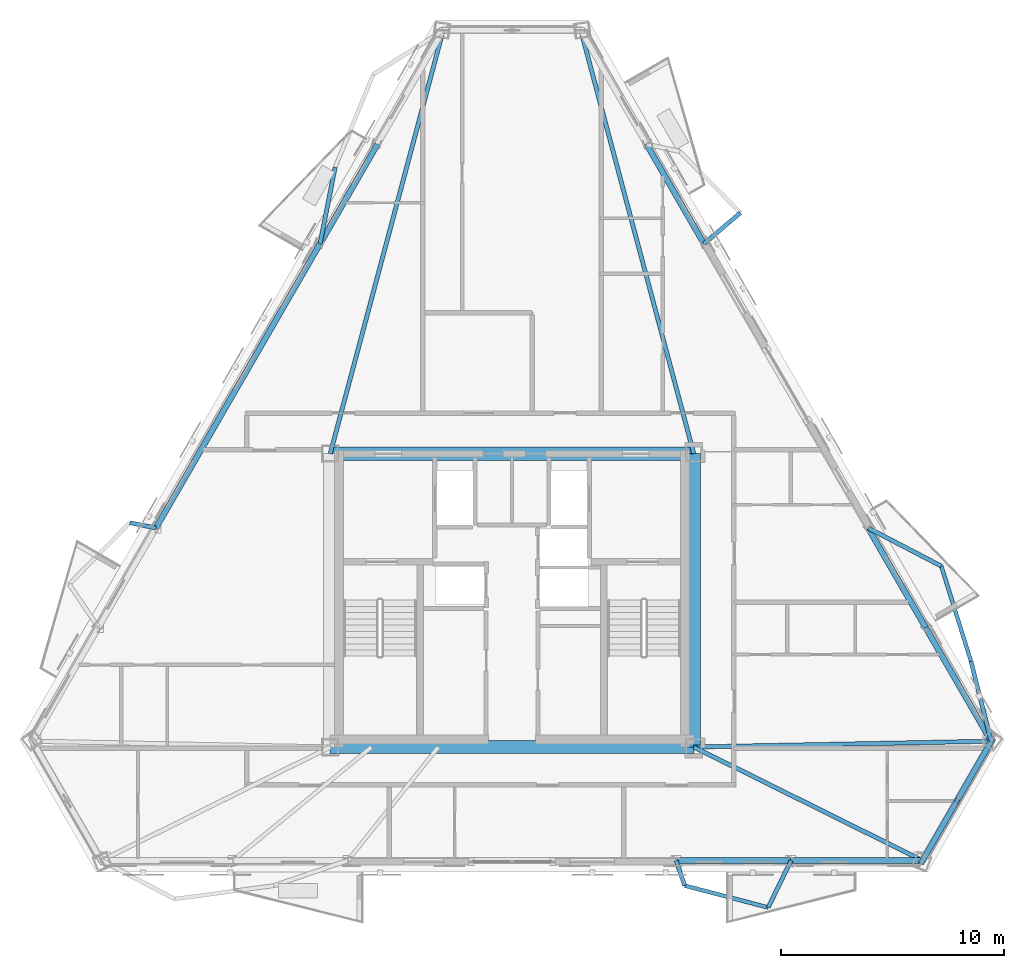
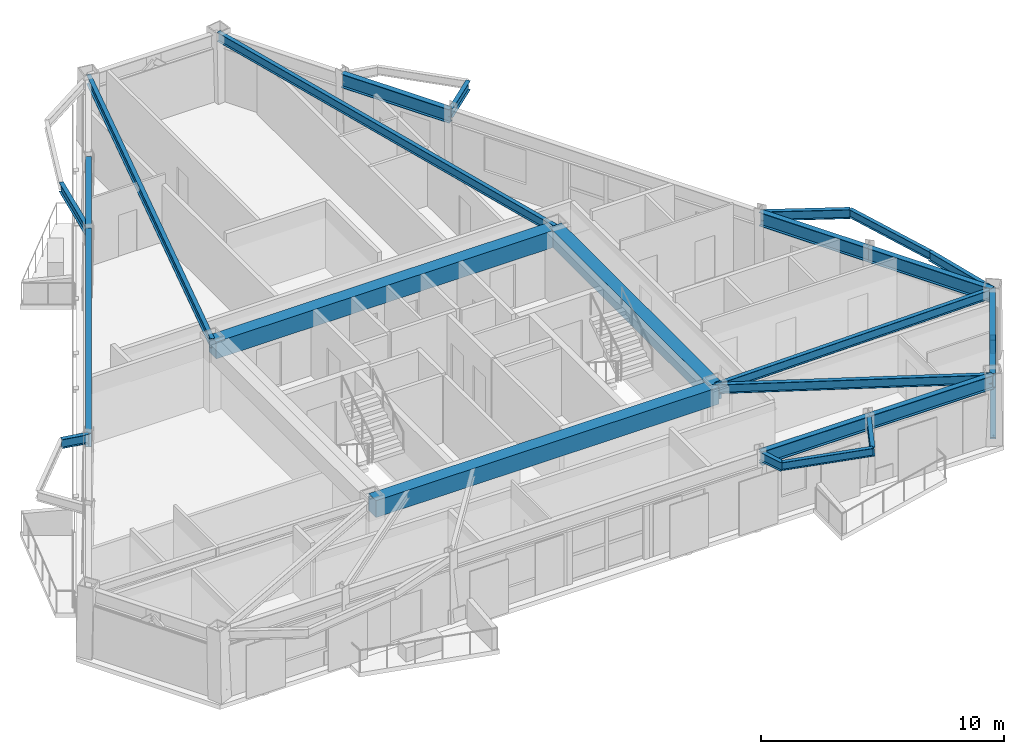
# One storey, part 3 of 12: 24 beams, 2 members.
"""IFC4 building model written with IfcOpenShell, lengths in metres."""

from ifc_helpers import new_model, si_unit, direction, frame, origin, origin_2d, place, context, subcontext, project, spatial, rectangle, hollow_rectangle, i_section, extrude, material, material_profile, profile_set, type_object, element, save


model = new_model("IFC4")

# Units and contexts
model_context = context("Model", 3, precision=1e-05, world=origin(), true_north=direction((0.0, 1.0)))
body_context = subcontext(model_context, "Body", "Model", "MODEL_VIEW")
ifc_project = project(units=[si_unit("LENGTHUNIT", "METRE"), si_unit("AREAUNIT", "SQUARE_METRE"), si_unit("VOLUMEUNIT", "CUBIC_METRE"), si_unit("PLANEANGLEUNIT", "RADIAN"), si_unit("MASSUNIT", "GRAM", prefix="KILO")], contexts=[model_context])

# Site, building, storey
site_placement = place(None, origin())
site = spatial("IfcSite", under=ifc_project, at=site_placement, CompositionType="ELEMENT")
building_placement = place(site_placement, origin())
building = spatial("IfcBuilding", under=site, at=building_placement, Name="Oramaril Tower", CompositionType="ELEMENT")
storey_placement = place(building_placement, frame((0.0, 0.0, 227.10009765625)))
storey = spatial("IfcBuildingStorey", under=building, at=storey_placement, Name="L60", CompositionType="ELEMENT", Elevation=227.10009765625)

# Beams
ifc_material_1 = material(Name="Steel ASTM A572 Gr 50", Category="steel")
ifc_material_profile_1 = material_profile(ifc_material_1, i_section(OverallWidth=0.19091796875, OverallDepth=0.45703125, WebThickness=0.009033203125, FlangeThickness=0.014404296875, at=origin_2d()), Name="W18X50")
ifc_profile_set_1 = profile_set([ifc_material_profile_1], Name="Steel ASTM A572 Gr 50")
beam_type_1 = type_object("IfcBeamType", Name="BT-BB1", PredefinedType="BEAM", material=ifc_profile_set_1)
beam_1_placement = place(storey_placement, frame((45.64990234375, 11.0, 3.1513671875), z_axis=(0.895750605416, -0.444556917499, 0.0), x_axis=(0.444556917499, 0.895750605416, 0.0)))
element("IfcBeam", 1, at=beam_1_placement, inside=storey, type_object=beam_type_1, Name="L60 Radial Primary Beam RB-03", PredefinedType="BEAM", context=body_context, shape_type="SweptSolid", body=[
    extrude(i_section(OverallWidth=0.19091796875, OverallDepth=0.45703125, WebThickness=0.009033203125, FlangeThickness=0.014404296875, at=origin_2d()), origin(), (0.0, 0.0, 1.0), 11.4404296875),
])
beam_2_placement = place(storey_placement, frame((45.64990234375, 11.0, 3.1513671875), z_axis=(0.999809583459, 0.019514016075, 0.0), x_axis=(-0.019514016075, 0.999809583459, 0.0)))
element("IfcBeam", 2, at=beam_2_placement, inside=storey, type_object=beam_type_1, Name="L60 Radial Primary Beam RB-04", PredefinedType="BEAM", context=body_context, shape_type="SweptSolid", body=[
    extrude(i_section(OverallWidth=0.19091796875, OverallDepth=0.45703125, WebThickness=0.009033203125, FlangeThickness=0.014404296875, at=origin_2d()), origin(), (0.0, 0.0, 1.0), 13.336669921875),
])
for number, where, z_axis, x_axis, name in (
    (3, (45.64990234375, 24.14990234375, 3.1513671875), (-0.257817389064, 0.966193662728, 0.0), (-0.966193662728, -0.257817389064, 0.0), "L60 Radial Primary Beam RB-05"),
    (4, (29.35009765625, 24.14990234375, 3.1513671875), (0.257817389064, 0.966193662728, 0.0), (-0.966193662728, 0.257817389064, 0.0), "L60 Radial Primary Beam RB-06"),
):
    element("IfcBeam", number, at=place(storey_placement, frame(where, z_axis=z_axis, x_axis=x_axis)), inside=storey, type_object=beam_type_1, Name=name, PredefinedType="BEAM", context=body_context, shape_type="SweptSolid", body=[
        extrude(i_section(OverallWidth=0.19091796875, OverallDepth=0.45703125, WebThickness=0.009033203125, FlangeThickness=0.014404296875, at=origin_2d()), origin(), (0.0, 0.0, 1.0), 19.639892578125),
    ])
beam_3_placement = place(storey_placement, frame((44.85888671875, 5.9140625, 3.1513671875), z_axis=(0.321020582855, -0.947072217618, 0.0), x_axis=(0.947072217618, 0.321020582855, 0.0)))
element("IfcBeam", 5, at=beam_3_placement, inside=storey, type_object=beam_type_1, Name="L60 Balcony Column-Framed Cantilever 02.1", PredefinedType="BEAM", context=body_context, shape_type="SweptSolid", body=[
    extrude(i_section(OverallWidth=0.19091796875, OverallDepth=0.45703125, WebThickness=0.009033203125, FlangeThickness=0.014404296875, at=origin_2d()), origin(), (0.0, 0.0, 1.0), 1.19091796875),
])
beam_4_placement = place(storey_placement, frame((50.010498046875, 5.9140625, 3.1513671875), z_axis=(-0.437438404124, -0.899248376478, 0.0), x_axis=(0.899248376478, -0.437438404124, 0.0)))
element("IfcBeam", 6, at=beam_4_placement, inside=storey, type_object=beam_type_1, Name="L60 Balcony Column-Framed Cantilever 02.2", PredefinedType="BEAM", context=body_context, shape_type="SweptSolid", body=[
    extrude(i_section(OverallWidth=0.19091796875, OverallDepth=0.45703125, WebThickness=0.009033203125, FlangeThickness=0.014404296875, at=origin_2d()), origin(), (0.0, 0.0, 1.0), 2.343994140625),
])
for number, where, z_axis, x_axis, name in (
    (7, (58.984130859375, 11.26025390625, 3.1513671875), (-0.245329243552, 0.969439818791, 0.0), (-0.969439818791, -0.245329243552, 0.0), "L60 Balcony Column-Framed Cantilever 03.1"),
    (8, (53.46484375, 20.81982421875, 3.1513671875), (0.887146569348, -0.461487772854, 0.0), (0.461487772854, 0.887146569348, 0.0), "L60 Balcony Column-Framed Cantilever 03.2"),
):
    element("IfcBeam", number, at=place(storey_placement, frame(where, z_axis=z_axis, x_axis=x_axis)), inside=storey, type_object=beam_type_1, Name=name, PredefinedType="BEAM", context=body_context, shape_type="SweptSolid", body=[
        extrude(i_section(OverallWidth=0.19091796875, OverallDepth=0.45703125, WebThickness=0.009033203125, FlangeThickness=0.014404296875, at=origin_2d()), origin(), (0.0, 0.0, 1.0), 3.699951171875),
    ])
beam_5_placement = place(storey_placement, frame((46.105712890625, 33.566162109375, 3.1513671875), z_axis=(0.762992769566, 0.646407018518, 0.0), x_axis=(-0.646407018518, 0.762992769566, 0.0)))
element("IfcBeam", 9, at=beam_5_placement, inside=storey, type_object=beam_type_1, Name="L60 Balcony Column-Framed Cantilever 04.1", PredefinedType="BEAM", context=body_context, shape_type="SweptSolid", body=[
    extrude(i_section(OverallWidth=0.19091796875, OverallDepth=0.45703125, WebThickness=0.009033203125, FlangeThickness=0.014404296875, at=origin_2d()), origin(), (0.0, 0.0, 1.0), 2.142333984375),
])
beam_6_placement = place(storey_placement, frame((28.894287109375, 33.566162109375, 3.1513671875), z_axis=(0.19361621873, 0.981077346515, 0.0), x_axis=(-0.981077346515, 0.19361621873, 0.0)))
element("IfcBeam", 10, at=beam_6_placement, inside=storey, type_object=beam_type_1, Name="L60 Balcony Column-Framed Cantilever 05.2", PredefinedType="BEAM", context=body_context, shape_type="SweptSolid", body=[
    extrude(i_section(OverallWidth=0.19091796875, OverallDepth=0.45703125, WebThickness=0.009033203125, FlangeThickness=0.014404296875, at=origin_2d()), origin(), (0.0, 0.0, 1.0), 3.494140625),
])
beam_7_placement = place(storey_placement, frame((21.53515625, 20.81982421875, 3.1513671875), z_axis=(-0.980651568096, 0.195761339367, 0.0), x_axis=(-0.195761339367, -0.980651568096, 0.0)))
element("IfcBeam", 11, at=beam_7_placement, inside=storey, type_object=beam_type_1, Name="L60 Balcony Column-Framed Cantilever 06.1", PredefinedType="BEAM", context=body_context, shape_type="SweptSolid", body=[
    extrude(i_section(OverallWidth=0.19091796875, OverallDepth=0.45703125, WebThickness=0.009033203125, FlangeThickness=0.014404296875, at=origin_2d()), origin(), (0.0, 0.0, 1.0), 1.19091796875),
])
ifc_material_2 = material(Name="Concrete C50/60", Category="concrete")
ifc_material_profile_2 = material_profile(ifc_material_2, rectangle(XDim=0.60009765625, YDim=0.85009765625, at=origin_2d()), Name="CB600X850")
ifc_profile_set_2 = profile_set([ifc_material_profile_2], Name="Concrete C50/60")
beam_type_2 = type_object("IfcBeamType", Name="BT-CB2", PredefinedType="BEAM", material=ifc_profile_set_2)
beam_8_placement = place(storey_placement, frame((29.35009765625, 11.0, 2.954833984375), z_axis=(1.0, 0.0, 0.0), x_axis=(0.0, 1.0, 0.0)))
element("IfcBeam", 12, at=beam_8_placement, inside=storey, type_object=beam_type_2, Name="L60 Core Header Beam CB-1", PredefinedType="BEAM", context=body_context, shape_type="SweptSolid", body=[
    extrude(rectangle(XDim=0.60009765625, YDim=0.85009765625, at=origin_2d()), origin(), (0.0, 0.0, 1.0), 16.2998046875),
])
beam_9_placement = place(storey_placement, frame((45.64990234375, 11.0, 2.954833984375), z_axis=(0.0, 1.0, 0.0), x_axis=(-1.0, 0.0, 0.0)))
element("IfcBeam", 13, at=beam_9_placement, inside=storey, type_object=beam_type_2, Name="L60 Core Header Beam CB-2", PredefinedType="BEAM", context=body_context, shape_type="SweptSolid", body=[
    extrude(rectangle(XDim=0.60009765625, YDim=0.85009765625, at=origin_2d()), origin(), (0.0, 0.0, 1.0), 13.14990234375),
])
beam_10_placement = place(storey_placement, frame((45.64990234375, 24.14990234375, 2.954833984375), z_axis=(-1.0, 0.0, 0.0), x_axis=(0.0, -1.0, 0.0)))
element("IfcBeam", 14, at=beam_10_placement, inside=storey, type_object=beam_type_2, Name="L60 Core Header Beam CB-3", PredefinedType="BEAM", context=body_context, shape_type="SweptSolid", body=[
    extrude(rectangle(XDim=0.60009765625, YDim=0.85009765625, at=origin_2d()), origin(), (0.0, 0.0, 1.0), 16.2998046875),
])
ifc_material_3 = material(Name="Steel ASTM A572 Gr 50", Category="steel")
ifc_material_profile_3 = material_profile(ifc_material_3, i_section(OverallWidth=0.177978515625, OverallDepth=0.404052734375, WebThickness=0.007568359375, FlangeThickness=0.010986328125, at=origin_2d()), Name="W16X36")
ifc_profile_set_3 = profile_set([ifc_material_profile_3], Name="Steel ASTM A572 Gr 50")
beam_type_3 = type_object("IfcBeamType", Name="BT-SB1", PredefinedType="BEAM", material=ifc_profile_set_3)
beam_11_placement = place(storey_placement, frame((45.2412109375, 4.7861328125, 3.177978515625), z_axis=(0.967407922874, -0.253223045479, 0.0), x_axis=(0.253223045479, 0.967407922874, 0.0)))
element("IfcBeam", 15, at=beam_11_placement, inside=storey, type_object=beam_type_3, Name="L60 Balcony Edge Tie Beam 02", PredefinedType="BEAM", context=body_context, shape_type="SweptSolid", body=[
    extrude(i_section(OverallWidth=0.177978515625, OverallDepth=0.404052734375, WebThickness=0.007568359375, FlangeThickness=0.010986328125, at=origin_2d()), origin(), (0.0, 0.0, 1.0), 3.8701171875),
])
beam_12_placement = place(storey_placement, frame((58.076416015625, 14.84716796875, 3.177978515625), z_axis=(-0.29750942157, 0.954718882225, 0.0), x_axis=(-0.954718882225, -0.29750942157, 0.0)))
element("IfcBeam", 16, at=beam_12_placement, inside=storey, type_object=beam_type_3, Name="L60 Balcony Edge Tie Beam 03", PredefinedType="BEAM", context=body_context, shape_type="SweptSolid", body=[
    extrude(i_section(OverallWidth=0.177978515625, OverallDepth=0.404052734375, WebThickness=0.007568359375, FlangeThickness=0.010986328125, at=origin_2d()), origin(), (0.0, 0.0, 1.0), 4.467529296875),
])
ifc_material_4 = material(Name="Steel ASTM A572 Gr 50", Category="steel")
ifc_material_profile_4 = material_profile(ifc_material_4, i_section(OverallWidth=0.257080078125, OverallDepth=0.693115234375, WebThickness=0.014404296875, FlangeThickness=0.023681640625, at=origin_2d()), Name="W27X114")
ifc_profile_set_4 = profile_set([ifc_material_profile_4], Name="Steel ASTM A572 Gr 50")
beam_type_4 = type_object("IfcBeamType", Name="BT-SP4", PredefinedType="SPANDREL", material=ifc_profile_set_4)
beam_13_placement = place(storey_placement, frame((44.85888671875, 5.9140625, 3.033447265625), z_axis=(1.0, 0.0, 0.0), x_axis=(0.0, 1.0, 0.0)))
element("IfcBeam", 17, at=beam_13_placement, inside=storey, type_object=beam_type_4, Name="L60 Perimeter Spandrel 05", PredefinedType="SPANDREL", context=body_context, shape_type="SweptSolid", body=[
    extrude(i_section(OverallWidth=0.257080078125, OverallDepth=0.693115234375, WebThickness=0.014404296875, FlangeThickness=0.023681640625, at=origin_2d()), origin(), (0.0, 0.0, 1.0), 5.151611328125),
])
beam_14_placement = place(storey_placement, frame((50.010498046875, 5.9140625, 3.033447265625), z_axis=(1.0, 0.0, 0.0), x_axis=(0.0, 1.0, 0.0)))
element("IfcBeam", 18, at=beam_14_placement, inside=storey, type_object=beam_type_4, Name="L60 Perimeter Spandrel 06", PredefinedType="SPANDREL", context=body_context, shape_type="SweptSolid", body=[
    extrude(i_section(OverallWidth=0.257080078125, OverallDepth=0.693115234375, WebThickness=0.014404296875, FlangeThickness=0.023681640625, at=origin_2d()), origin(), (0.0, 0.0, 1.0), 5.88720703125),
])
beam_15_placement = place(storey_placement, frame((55.897705078125, 5.9140625, 3.033447265625), z_axis=(0.49997579017, 0.866039380885, 0.0), x_axis=(-0.866039380885, 0.49997579017, 0.0)))
element("IfcBeam", 19, at=beam_15_placement, inside=storey, type_object=beam_type_4, Name="L60 Perimeter Spandrel 07", PredefinedType="SPANDREL", context=body_context, shape_type="SweptSolid", body=[
    extrude(i_section(OverallWidth=0.257080078125, OverallDepth=0.693115234375, WebThickness=0.014404296875, FlangeThickness=0.023681640625, at=origin_2d()), origin(), (0.0, 0.0, 1.0), 6.173095703125),
])
beam_16_placement = place(storey_placement, frame((58.984130859375, 11.26025390625, 3.033447265625), z_axis=(-0.500006044118, 0.866021914183, 0.0), x_axis=(-0.866021914183, -0.500006044118, 0.0)))
element("IfcBeam", 20, at=beam_16_placement, inside=storey, type_object=beam_type_4, Name="L60 Perimeter Spandrel 08", PredefinedType="SPANDREL", context=body_context, shape_type="SweptSolid", body=[
    extrude(i_section(OverallWidth=0.257080078125, OverallDepth=0.693115234375, WebThickness=0.014404296875, FlangeThickness=0.023681640625, at=origin_2d()), origin(), (0.0, 0.0, 1.0), 5.88720703125),
])
beam_17_placement = place(storey_placement, frame((56.04052734375, 16.358642578125, 3.033447265625), z_axis=(-0.500002791403, 0.866023792161, 0.0), x_axis=(-0.866023792161, -0.500002791403, 0.0)))
element("IfcBeam", 21, at=beam_17_placement, inside=storey, type_object=beam_type_4, Name="L60 Perimeter Spandrel 09", PredefinedType="SPANDREL", context=body_context, shape_type="SweptSolid", body=[
    extrude(i_section(OverallWidth=0.257080078125, OverallDepth=0.693115234375, WebThickness=0.014404296875, FlangeThickness=0.023681640625, at=origin_2d()), origin(), (0.0, 0.0, 1.0), 5.1513671875),
])
for number, where, z_axis, x_axis, name in (
    (22, (46.105712890625, 33.566162109375, 3.033447265625), (-0.500023314225, 0.866011942892, 0.0), (-0.866011942892, -0.500023314225, 0.0), "L60 Perimeter Spandrel 11"),
    (23, (31.469970703125, 38.027099609375, 3.033447265625), (-0.500023314225, -0.866011942892, 0.0), (0.866011942892, -0.500023314225, 0.0), "L60 Perimeter Spandrel 15"),
):
    element("IfcBeam", number, at=place(storey_placement, frame(where, z_axis=z_axis, x_axis=x_axis)), inside=storey, type_object=beam_type_4, Name=name, PredefinedType="SPANDREL", context=body_context, shape_type="SweptSolid", body=[
        extrude(i_section(OverallWidth=0.257080078125, OverallDepth=0.693115234375, WebThickness=0.014404296875, FlangeThickness=0.023681640625, at=origin_2d()), origin(), (0.0, 0.0, 1.0), 5.151123046875),
    ])
beam_18_placement = place(storey_placement, frame((28.894287109375, 33.566162109375, 3.033447265625), z_axis=(-0.500001490348, -0.86602454333, 0.0), x_axis=(0.86602454333, -0.500001490348, 0.0)))
element("IfcBeam", 24, at=beam_18_placement, inside=storey, type_object=beam_type_4, Name="L60 Perimeter Spandrel 16", PredefinedType="SPANDREL", context=body_context, shape_type="SweptSolid", body=[
    extrude(i_section(OverallWidth=0.257080078125, OverallDepth=0.693115234375, WebThickness=0.014404296875, FlangeThickness=0.023681640625, at=origin_2d()), origin(), (0.0, 0.0, 1.0), 14.71826171875),
])

# Members
ifc_material_5 = material(Name="Steel ASTM A572 Gr 50", Category="steel")
ifc_material_profile_5 = material_profile(ifc_material_5, hollow_rectangle(XDim=0.25, YDim=0.25, WallThickness=0.011962890625, at=origin_2d()), Name="HSS250X250X12")
ifc_profile_set_5 = profile_set([ifc_material_profile_5], Name="Steel ASTM A572 Gr 50")
member_type = type_object("IfcMemberType", Name="MT-KB3", PredefinedType="BRACE", material=ifc_profile_set_5)
member_1_placement = place(storey_placement, frame((55.870849609375, 5.849365234375, 0.179931640625), z_axis=(0.370906271518, 0.642372479833, 0.670660968673), x_axis=(-0.866006520045, 0.50003270617, 0.0)))
element("IfcMember", 25, at=member_1_placement, inside=storey, type_object=member_type, Name="L60 Perimeter Chevron Brace KB-2A", PredefinedType="BRACE", context=body_context, shape_type="SweptSolid", body=[
    extrude(hollow_rectangle(XDim=0.25, YDim=0.25, WallThickness=0.011962890625, at=origin_2d()), origin(), (0.0, 0.0, 1.0), 4.2548828125),
])
member_2_placement = place(storey_placement, frame((59.02685546875, 11.315673828125, 0.179931640625), z_axis=(-0.370856783528, -0.642386150642, 0.67067524151), x_axis=(0.866040017224, -0.499974687925, 0.0)))
element("IfcMember", 26, at=member_2_placement, inside=storey, type_object=member_type, Name="L60 Perimeter Chevron Brace KB-2B", PredefinedType="BRACE", context=body_context, shape_type="SweptSolid", body=[
    extrude(hollow_rectangle(XDim=0.25, YDim=0.25, WallThickness=0.011962890625, at=origin_2d()), origin(), (0.0, 0.0, 1.0), 4.254638671875),
])

save(model, "model.ifc")
